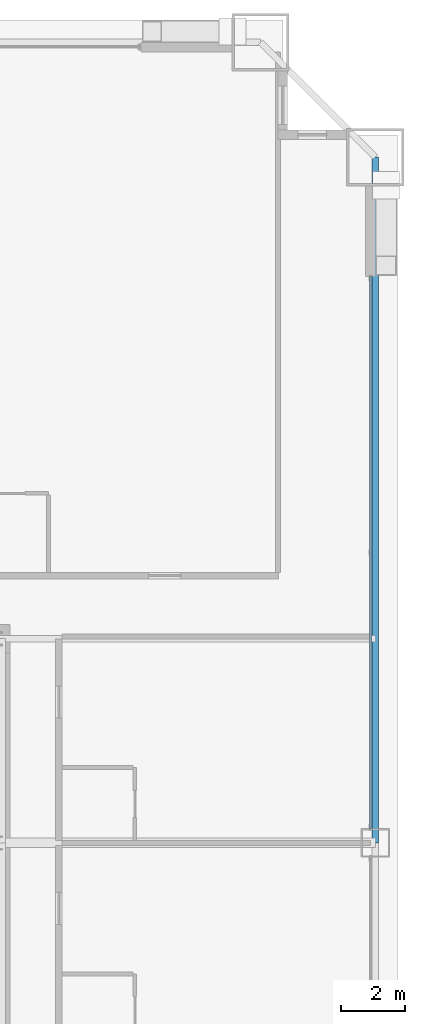
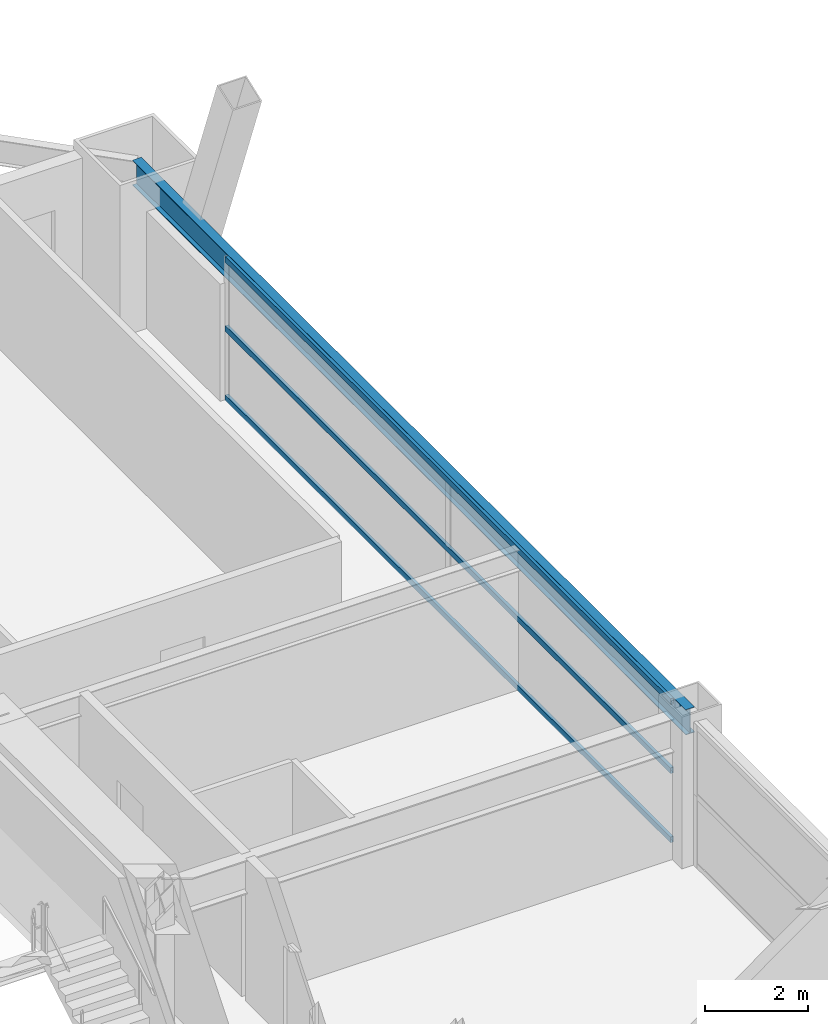
# One storey, part 33 of 43: 3 members, 1 beam, 1 element without a shape of its own.
"""IFC4 building model written with IfcOpenShell, lengths in metres."""

from ifc_helpers import new_model, si_unit, direction, frame, origin, origin_2d, place, context, subcontext, project, spatial, hollow_rectangle, i_section, extrude, source, transform, mapped, material, layer, layer_set, material_profile, profile_set, type_object, element, aggregate, save


model = new_model("IFC4")

# Units and contexts
model_context = context("Model", 3, precision=1e-05, world=origin(), true_north=direction((0.0, 1.0)))
body_context = subcontext(model_context, "Body", "Model", "MODEL_VIEW")
ifc_project = project(units=[si_unit("LENGTHUNIT", "METRE"), si_unit("AREAUNIT", "SQUARE_METRE"), si_unit("VOLUMEUNIT", "CUBIC_METRE"), si_unit("PLANEANGLEUNIT", "RADIAN"), si_unit("MASSUNIT", "GRAM", prefix="KILO"), si_unit("THERMODYNAMICTEMPERATUREUNIT", "KELVIN"), si_unit("POWERUNIT", "WATT")], contexts=[model_context])

# Site, building, storey
site_placement = place(None, origin())
site = spatial("IfcSite", under=ifc_project, at=site_placement, CompositionType="ELEMENT")
building_placement = place(site_placement, origin())
building = spatial("IfcBuilding", under=site, at=building_placement, Name="Yuzanri Waterfront Tower", CompositionType="ELEMENT")
storey_placement = place(building_placement, frame((0.0, 0.0, 60.39990234375)))
storey = spatial("IfcBuildingStorey", under=building, at=storey_placement, Name="L15", CompositionType="ELEMENT", Elevation=60.39990234375)

# Beam
ifc_material_1 = material(Name="Steel Q355B", Category="steel")
ifc_material_profile_1 = material_profile(ifc_material_1, i_section(OverallWidth=0.199951171875, OverallDepth=0.60009765625, WebThickness=0.010986328125, FlangeThickness=0.01708984375, at=origin_2d()), Name="HN 600x200x11x17")
ifc_profile_set_1 = profile_set([ifc_material_profile_1], Name="Steel Q355B")
beam_type = type_object("IfcBeamType", Name="Perimeter Spandrel Q355B HN 600x200", PredefinedType="SPANDREL", material=ifc_profile_set_1)
shared_shape_1 = source(origin(), body_context, "Body", "SweptSolid", [
    extrude(i_section(OverallWidth=0.199951171875, OverallDepth=0.60009765625, WebThickness=0.010986328125, FlangeThickness=0.01708984375, at=origin_2d()), origin(), (0.0, 0.0, 1.0), 21.5),
])
beam_placement = place(storey_placement, frame((62.10009765625, 25.800048828125, 3.080078125), z_axis=(0.0, 1.0, 0.0), x_axis=(-1.0, 0.0, 0.0)))
element("IfcBeam", 1, at=beam_placement, inside=storey, type_object=beam_type, Name="L15 Perimeter Spandrel E2-E3", PredefinedType="SPANDREL", context=body_context, shape_type="MappedRepresentation", body=[
    mapped(shared_shape_1, transform((0.0, 0.0, 0.0), scale=1.0)),
])

# Curtain wall, members
ifc_material_2 = material(Name="Anodized Architectural Bronze", Category="metal")
ifc_layer = layer(ifc_material_2, 0.159912109375)
ifc_layer_set = layer_set([ifc_layer], Name="Anodized Architectural Bronze")
curtain_wall_type = type_object("IfcCurtainWallType", Name="Anodized Bronze Hotel Lower-Tier Recessed Unitized Curtain Wall 8100", PredefinedType="NOTDEFINED", material=ifc_layer_set)
curtain_wall_placement = place(storey_placement, origin())
curtain_wall = element("IfcCurtainWall", 2, at=curtain_wall_placement, inside=storey, type_object=curtain_wall_type, Name="L15 Curtain Wall CW-L15-ER", PredefinedType="NOTDEFINED")
ifc_material_3 = material(Name="Anodized Architectural Bronze", Category="metal")
ifc_material_profile_2 = material_profile(ifc_material_3, hollow_rectangle(XDim=0.070068359375, YDim=0.135009765625, WallThickness=0.00341796875, at=origin_2d()), Name="CWT 70x135")
ifc_profile_set_2 = profile_set([ifc_material_profile_2], Name="Anodized Architectural Bronze")
member_type = type_object("IfcMemberType", Name="Anodized Bronze Standard Curtain-Wall Transom 70x135", PredefinedType="USERDEFINED", material=ifc_profile_set_2)
shared_shape_2 = source(origin(), body_context, "Body", "SweptSolid", [
    extrude(hollow_rectangle(XDim=0.070068359375, YDim=0.135009765625, WallThickness=0.00341796875, at=origin_2d()), origin(), (0.0, 0.0, 1.0), 17.300048828125),
])
member_1_placement = place(storey_placement, frame((61.949951171875, 26.25, 0.050048828125), z_axis=(0.0, 1.0, 0.0), x_axis=(-1.0, 0.0, 0.0)))
member_1 = element("IfcMember", 3, at=member_1_placement, type_object=member_type, Name="CW-L15-ER Transom 1", ObjectType="TRANSOM", PredefinedType="USERDEFINED", context=body_context, shape_type="MappedRepresentation", body=[
    mapped(shared_shape_2, transform((0.0, 0.0, 0.0), scale=1.0)),
])
member_2_placement = place(storey_placement, frame((61.949951171875, 26.25, 1.690185546875), z_axis=(0.0, 1.0, 0.0), x_axis=(-1.0, 0.0, 0.0)))
member_2 = element("IfcMember", 4, at=member_2_placement, type_object=member_type, Name="CW-L15-ER Transom 2", ObjectType="TRANSOM", PredefinedType="USERDEFINED", context=body_context, shape_type="MappedRepresentation", body=[
    mapped(shared_shape_2, transform((0.0, 0.0, 0.0), scale=1.0)),
])
member_3_placement = place(storey_placement, frame((61.949951171875, 26.25, 3.330078125), z_axis=(0.0, 1.0, 0.0), x_axis=(-1.0, 0.0, 0.0)))
member_3 = element("IfcMember", 5, at=member_3_placement, type_object=member_type, Name="CW-L15-ER Transom 3", ObjectType="TRANSOM", PredefinedType="USERDEFINED", context=body_context, shape_type="MappedRepresentation", body=[
    mapped(shared_shape_2, transform((0.0, 0.0, 0.0), scale=1.0)),
])
aggregate(curtain_wall, [member_1, member_2, member_3])

save(model, "model.ifc")
